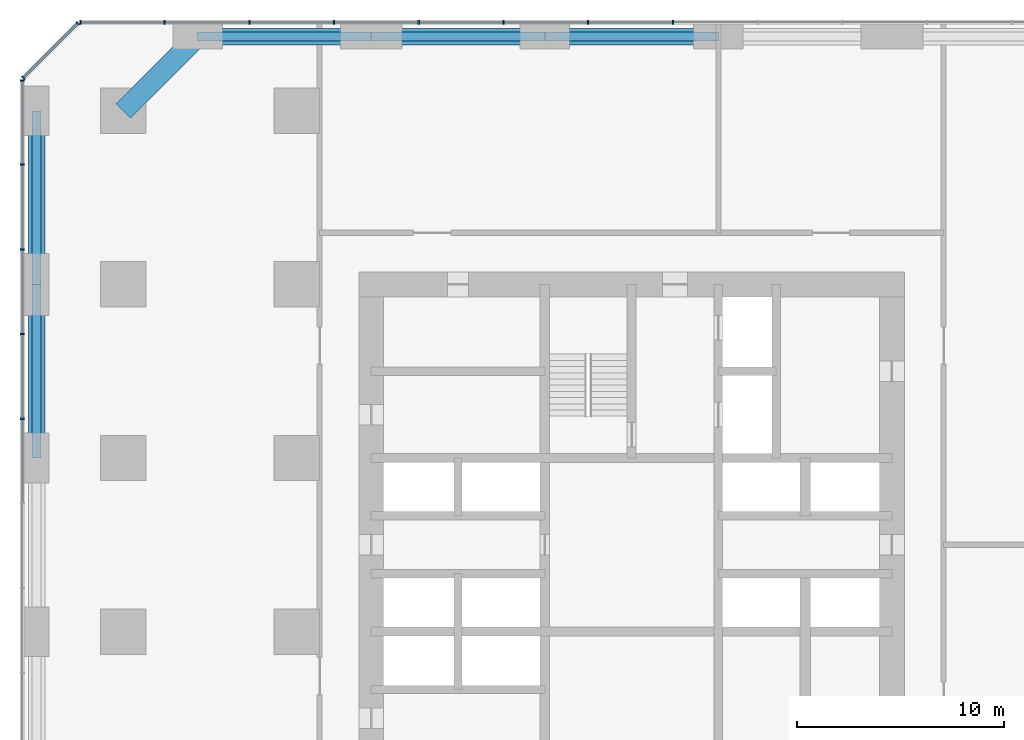
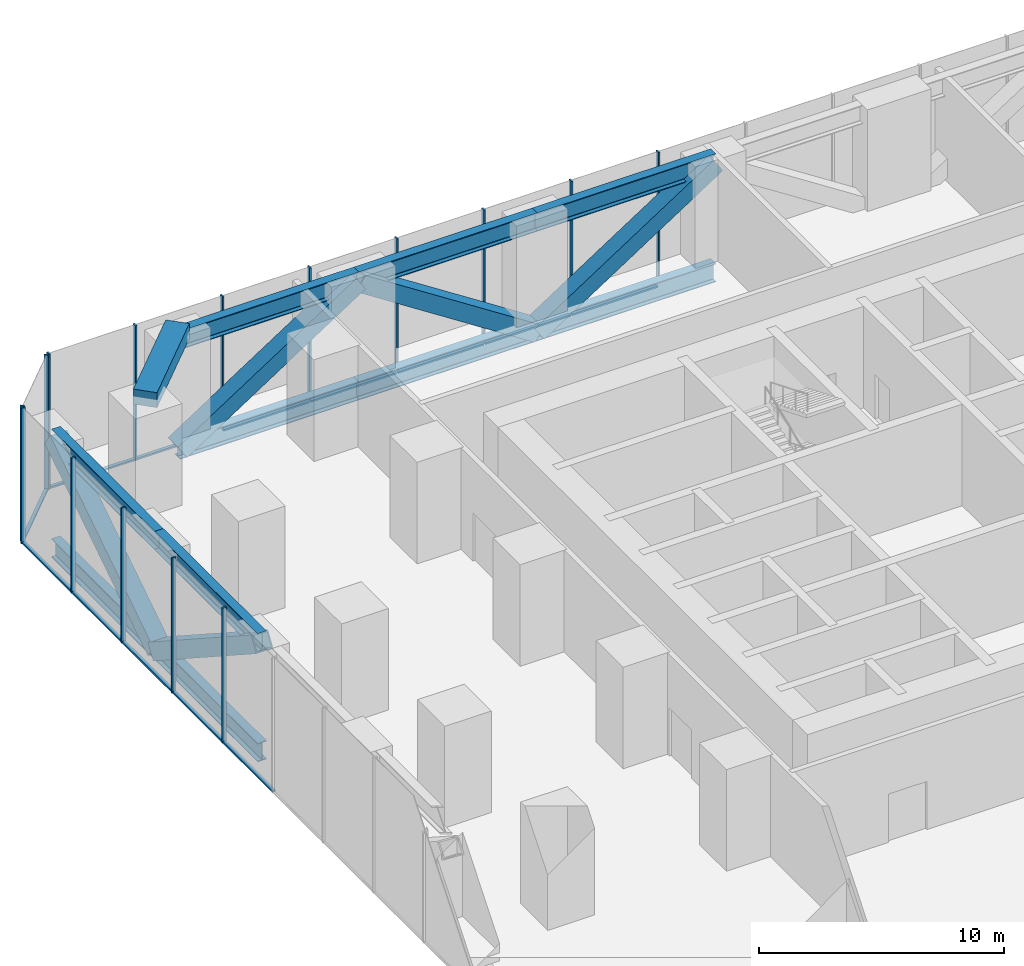
# One storey, part 5 of 10: 43 members, 1 beam, 3 elements without a shape of their own.
"""IFC4 building model written with IfcOpenShell, lengths in metres."""

from ifc_helpers import new_model, si_unit, direction, frame, origin, origin_2d, place, context, subcontext, project, spatial, rectangle, hollow_rectangle, i_section, extrude, material, material_profile, profile_set, type_object, element, aggregate, save


model = new_model("IFC4")

# Units and contexts
model_context = context("Model", 3, precision=1e-05, world=origin(), true_north=direction((0.0, 1.0)))
body_context = subcontext(model_context, "Body", "Model", "MODEL_VIEW")
ifc_project = project(units=[si_unit("LENGTHUNIT", "METRE"), si_unit("AREAUNIT", "SQUARE_METRE"), si_unit("VOLUMEUNIT", "CUBIC_METRE"), si_unit("PLANEANGLEUNIT", "RADIAN"), si_unit("MASSUNIT", "GRAM", prefix="KILO")], contexts=[model_context])

# Site, building, storey
site_placement = place(None, origin())
site = spatial("IfcSite", under=ifc_project, at=site_placement, CompositionType="ELEMENT")
building_placement = place(site_placement, origin())
building = spatial("IfcBuilding", under=site, at=building_placement, Name="Dunama Terrace Hotel", CompositionType="ELEMENT")
storey_placement = place(building_placement, frame((0.0, 0.0, 153.60009765625)))
storey = spatial("IfcBuildingStorey", under=building, at=storey_placement, Name="L39", CompositionType="ELEMENT", Elevation=153.60009765625)

# Members
ifc_material_1 = material(Name="Steel S355", Category="steel")
ifc_material_profile_1 = material_profile(ifc_material_1, hollow_rectangle(XDim=0.800048828125, YDim=0.800048828125, WallThickness=0.06005859375, at=origin_2d()), Name="BOX 800x800x60")
ifc_profile_set_1 = profile_set([ifc_material_profile_1], Name="Steel S355")
member_type_1 = type_object("IfcMemberType", Name="Brace BOX 800x800x60", PredefinedType="BRACE", material=ifc_profile_set_1)
for number, where, z_axis, x_axis, name in (
    (1, (0.60009765625, 42.0, -0.860595703125), (0.0, -0.83889900313, 0.544287114075), (1.0, 0.0, 0.0), "Belt truss diagonal L39"),
    (2, (0.60009765625, 42.0, -0.860595703125), (0.0, 0.83889900313, 0.544287114075), (-1.0, 0.0, 0.0), "Belt truss diagonal L39"),
):
    element("IfcMember", number, at=place(storey_placement, frame(where, z_axis=z_axis, x_axis=x_axis)), inside=storey, type_object=member_type_1, Name=name, PredefinedType="BRACE", context=body_context, shape_type="SweptSolid", body=[
        extrude(hollow_rectangle(XDim=0.800048828125, YDim=0.800048828125, WallThickness=0.06005859375, at=origin_2d()), origin(), (0.0, 0.0, 1.0), 10.012939453125),
    ])
member_1_placement = place(storey_placement, frame((8.39990234375, 54.0, -0.860595703125), z_axis=(0.838906226141, 0.0, 0.544275981229), x_axis=(0.0, 1.0, 0.0)))
element("IfcMember", 3, at=member_1_placement, inside=storey, type_object=member_type_1, Name="Belt truss diagonal L39", PredefinedType="BRACE", context=body_context, shape_type="SweptSolid", body=[
    extrude(hollow_rectangle(XDim=0.800048828125, YDim=0.800048828125, WallThickness=0.06005859375, at=origin_2d()), origin(), (0.0, 0.0, 1.0), 10.01318359375),
])
member_2_placement = place(storey_placement, frame((25.199951171875, 54.0, -0.860595703125), z_axis=(-0.83889900313, 0.0, 0.544287114075), x_axis=(0.0, -1.0, 0.0)))
element("IfcMember", 4, at=member_2_placement, inside=storey, type_object=member_type_1, Name="Belt truss diagonal L39", PredefinedType="BRACE", context=body_context, shape_type="SweptSolid", body=[
    extrude(hollow_rectangle(XDim=0.800048828125, YDim=0.800048828125, WallThickness=0.06005859375, at=origin_2d()), origin(), (0.0, 0.0, 1.0), 10.012939453125),
])
member_3_placement = place(storey_placement, frame((25.199951171875, 54.0, -0.860595703125), z_axis=(0.838906226141, 0.0, 0.544275981229), x_axis=(0.0, 1.0, 0.0)))
element("IfcMember", 5, at=member_3_placement, inside=storey, type_object=member_type_1, Name="Belt truss diagonal L39", PredefinedType="BRACE", context=body_context, shape_type="SweptSolid", body=[
    extrude(hollow_rectangle(XDim=0.800048828125, YDim=0.800048828125, WallThickness=0.06005859375, at=origin_2d()), origin(), (0.0, 0.0, 1.0), 10.01318359375),
])

# Curtain wall, members
ifc_material_2 = material(Name="Aluminium curtain wall system", Category="aluminium")
curtain_wall_type = type_object("IfcCurtainWallType", Name="Plant floor louvred glazing CW-G", PredefinedType="NOTDEFINED", material=ifc_material_2)
curtain_wall_1_placement = place(storey_placement, origin())
curtain_wall_1 = element("IfcCurtainWall", 6, at=curtain_wall_1_placement, inside=storey, type_object=curtain_wall_type, Name="Plant floor louvred glazing CW-G L39", PredefinedType="NOTDEFINED")
ifc_material_3 = material(Name="Aluminium mullion", Category="aluminium")
ifc_material_profile_2 = material_profile(ifc_material_3, rectangle(XDim=0.074951171875, YDim=0.199951171875, at=origin_2d()), Name="CWG MULLION 75X200")
ifc_profile_set_2 = profile_set([ifc_material_profile_2], Name="Aluminium mullion")
member_type_2 = type_object("IfcMemberType", Name="CWG mullion 75x200", PredefinedType="MULLION", material=ifc_profile_set_2)
member_4_placement = place(storey_placement, frame((31.39990234375, 54.699951171875, -1.321044921875), z_axis=(0.0, 0.0, 1.0), x_axis=(-1.0, 0.0, 0.0)))
member_4 = element("IfcMember", 7, at=member_4_placement, type_object=member_type_2, Name="CWG mullion", PredefinedType="MULLION", context=body_context, shape_type="SweptSolid", body=[
    extrude(rectangle(XDim=0.074951171875, YDim=0.199951171875, at=origin_2d()), origin(), (0.0, 0.0, 1.0), 6.720947265625),
])
member_5_placement = place(storey_placement, frame((27.300048828125, 54.699951171875, -1.321044921875), z_axis=(0.0, 0.0, 1.0), x_axis=(-1.0, 0.0, 0.0)))
member_5 = element("IfcMember", 8, at=member_5_placement, type_object=member_type_2, Name="CWG mullion", PredefinedType="MULLION", context=body_context, shape_type="SweptSolid", body=[
    extrude(rectangle(XDim=0.074951171875, YDim=0.199951171875, at=origin_2d()), origin(), (0.0, 0.0, 1.0), 6.720947265625),
])
member_6_placement = place(storey_placement, frame((23.199951171875, 54.699951171875, -1.321044921875), z_axis=(0.0, 0.0, 1.0), x_axis=(-1.0, 0.0, 0.0)))
member_6 = element("IfcMember", 9, at=member_6_placement, type_object=member_type_2, Name="CWG mullion", PredefinedType="MULLION", context=body_context, shape_type="SweptSolid", body=[
    extrude(rectangle(XDim=0.074951171875, YDim=0.199951171875, at=origin_2d()), origin(), (0.0, 0.0, 1.0), 6.720947265625),
])
member_7_placement = place(storey_placement, frame((19.10009765625, 54.699951171875, -1.321044921875), z_axis=(0.0, 0.0, 1.0), x_axis=(-1.0, 0.0, 0.0)))
member_7 = element("IfcMember", 10, at=member_7_placement, type_object=member_type_2, Name="CWG mullion", PredefinedType="MULLION", context=body_context, shape_type="SweptSolid", body=[
    extrude(rectangle(XDim=0.074951171875, YDim=0.199951171875, at=origin_2d()), origin(), (0.0, 0.0, 1.0), 6.720947265625),
])
member_8_placement = place(storey_placement, frame((15.0, 54.699951171875, -1.321044921875), z_axis=(0.0, 0.0, 1.0), x_axis=(-1.0, 0.0, 0.0)))
member_8 = element("IfcMember", 11, at=member_8_placement, type_object=member_type_2, Name="CWG mullion", PredefinedType="MULLION", context=body_context, shape_type="SweptSolid", body=[
    extrude(rectangle(XDim=0.074951171875, YDim=0.199951171875, at=origin_2d()), origin(), (0.0, 0.0, 1.0), 6.720947265625),
])
member_9_placement = place(storey_placement, frame((10.89990234375, 54.699951171875, -1.321044921875), z_axis=(0.0, 0.0, 1.0), x_axis=(-1.0, 0.0, 0.0)))
member_9 = element("IfcMember", 12, at=member_9_placement, type_object=member_type_2, Name="CWG mullion", PredefinedType="MULLION", context=body_context, shape_type="SweptSolid", body=[
    extrude(rectangle(XDim=0.074951171875, YDim=0.199951171875, at=origin_2d()), origin(), (0.0, 0.0, 1.0), 6.720947265625),
])
member_10_placement = place(storey_placement, frame((6.800048828125, 54.699951171875, -1.321044921875), z_axis=(0.0, 0.0, 1.0), x_axis=(-1.0, 0.0, 0.0)))
member_10 = element("IfcMember", 13, at=member_10_placement, type_object=member_type_2, Name="CWG mullion", PredefinedType="MULLION", context=body_context, shape_type="SweptSolid", body=[
    extrude(rectangle(XDim=0.074951171875, YDim=0.199951171875, at=origin_2d()), origin(), (0.0, 0.0, 1.0), 6.720947265625),
])
member_11_placement = place(storey_placement, frame((2.738037109375, 54.699951171875, -1.321044921875), z_axis=(0.0, 0.0, 1.0), x_axis=(-1.0, 0.0, 0.0)))
member_11 = element("IfcMember", 14, at=member_11_placement, type_object=member_type_2, Name="CWG mullion", PredefinedType="MULLION", context=body_context, shape_type="SweptSolid", body=[
    extrude(rectangle(XDim=0.074951171875, YDim=0.199951171875, at=origin_2d()), origin(), (0.0, 0.0, 1.0), 6.720947265625),
])

curtain_wall_2_placement = place(storey_placement, origin())
curtain_wall_2 = element("IfcCurtainWall", 15, at=curtain_wall_2_placement, inside=storey, type_object=curtain_wall_type, Name="Plant floor louvred glazing CW-G L39", PredefinedType="NOTDEFINED")
member_12_placement = place(storey_placement, frame((2.60302734375, 54.64404296875, -1.321044921875), z_axis=(0.0, 0.0, 1.0), x_axis=(-0.707106781187, -0.707106781187, 0.0)))
member_12 = element("IfcMember", 16, at=member_12_placement, type_object=member_type_2, Name="CWG mullion", PredefinedType="MULLION", context=body_context, shape_type="SweptSolid", body=[
    extrude(rectangle(XDim=0.074951171875, YDim=0.199951171875, at=origin_2d()), origin(), (0.0, 0.0, 1.0), 6.720947265625),
])
member_13_placement = place(storey_placement, frame((-0.0439453125, 51.9970703125, -1.321044921875), z_axis=(0.0, 0.0, 1.0), x_axis=(-0.707106781187, -0.707106781187, 0.0)))
member_13 = element("IfcMember", 17, at=member_13_placement, type_object=member_type_2, Name="CWG mullion", PredefinedType="MULLION", context=body_context, shape_type="SweptSolid", body=[
    extrude(rectangle(XDim=0.074951171875, YDim=0.199951171875, at=origin_2d()), origin(), (0.0, 0.0, 1.0), 6.720947265625),
])

curtain_wall_3_placement = place(storey_placement, origin())
curtain_wall_3 = element("IfcCurtainWall", 18, at=curtain_wall_3_placement, inside=storey, type_object=curtain_wall_type, Name="Plant floor louvred glazing CW-G L39", PredefinedType="NOTDEFINED")
member_14_placement = place(storey_placement, frame((-0.10009765625, 51.862060546875, -1.321044921875), z_axis=(0.0, 0.0, 1.0), x_axis=(0.0, -1.0, 0.0)))
member_14 = element("IfcMember", 19, at=member_14_placement, type_object=member_type_2, Name="CWG mullion", PredefinedType="MULLION", context=body_context, shape_type="SweptSolid", body=[
    extrude(rectangle(XDim=0.074951171875, YDim=0.199951171875, at=origin_2d()), origin(), (0.0, 0.0, 1.0), 6.720947265625),
])
member_15_placement = place(storey_placement, frame((-0.10009765625, 47.800048828125, -1.321044921875), z_axis=(0.0, 0.0, 1.0), x_axis=(0.0, -1.0, 0.0)))
member_15 = element("IfcMember", 20, at=member_15_placement, type_object=member_type_2, Name="CWG mullion", PredefinedType="MULLION", context=body_context, shape_type="SweptSolid", body=[
    extrude(rectangle(XDim=0.074951171875, YDim=0.199951171875, at=origin_2d()), origin(), (0.0, 0.0, 1.0), 6.720947265625),
])
member_16_placement = place(storey_placement, frame((-0.10009765625, 43.699951171875, -1.321044921875), z_axis=(0.0, 0.0, 1.0), x_axis=(0.0, -1.0, 0.0)))
member_16 = element("IfcMember", 21, at=member_16_placement, type_object=member_type_2, Name="CWG mullion", PredefinedType="MULLION", context=body_context, shape_type="SweptSolid", body=[
    extrude(rectangle(XDim=0.074951171875, YDim=0.199951171875, at=origin_2d()), origin(), (0.0, 0.0, 1.0), 6.720947265625),
])
member_17_placement = place(storey_placement, frame((-0.10009765625, 39.60009765625, -1.321044921875), z_axis=(0.0, 0.0, 1.0), x_axis=(0.0, -1.0, 0.0)))
member_17 = element("IfcMember", 22, at=member_17_placement, type_object=member_type_2, Name="CWG mullion", PredefinedType="MULLION", context=body_context, shape_type="SweptSolid", body=[
    extrude(rectangle(XDim=0.074951171875, YDim=0.199951171875, at=origin_2d()), origin(), (0.0, 0.0, 1.0), 6.720947265625),
])
member_18_placement = place(storey_placement, frame((-0.10009765625, 35.5, -1.321044921875), z_axis=(0.0, 0.0, 1.0), x_axis=(0.0, -1.0, 0.0)))
member_18 = element("IfcMember", 23, at=member_18_placement, type_object=member_type_2, Name="CWG mullion", PredefinedType="MULLION", context=body_context, shape_type="SweptSolid", body=[
    extrude(rectangle(XDim=0.074951171875, YDim=0.199951171875, at=origin_2d()), origin(), (0.0, 0.0, 1.0), 6.720947265625),
])

# Member
ifc_material_4 = material(Name="Aluminium transom", Category="aluminium")
ifc_material_profile_3 = material_profile(ifc_material_4, rectangle(XDim=0.159912109375, YDim=0.0849609375, at=origin_2d()), Name="CWG TRANSOM 160X85")
ifc_profile_set_3 = profile_set([ifc_material_profile_3], Name="Aluminium transom")
member_type_3 = type_object("IfcMemberType", Name="CWG transom 160x85", PredefinedType="USERDEFINED", material=ifc_profile_set_3)
member_19_placement = place(storey_placement, frame((31.362060546875, 54.699951171875, -1.278564453125), z_axis=(-1.0, 0.0, 0.0), x_axis=(0.0, -1.0, 0.0)))
member_19 = element("IfcMember", 24, at=member_19_placement, type_object=member_type_3, Name="CWG transom", ObjectType="TRANSOM", PredefinedType="USERDEFINED", context=body_context, shape_type="SweptSolid", body=[
    extrude(rectangle(XDim=0.159912109375, YDim=0.0849609375, at=origin_2d()), origin(), (0.0, 0.0, 1.0), 4.024169921875),
])

member_20_placement = place(storey_placement, frame((27.261962890625, 54.699951171875, -1.278564453125), z_axis=(-1.0, 0.0, 0.0), x_axis=(0.0, -1.0, 0.0)))
member_20 = element("IfcMember", 25, at=member_20_placement, type_object=member_type_3, Name="CWG transom", ObjectType="TRANSOM", PredefinedType="USERDEFINED", context=body_context, shape_type="SweptSolid", body=[
    extrude(rectangle(XDim=0.159912109375, YDim=0.0849609375, at=origin_2d()), origin(), (0.0, 0.0, 1.0), 4.02392578125),
])

member_21_placement = place(storey_placement, frame((23.1630859375, 54.699951171875, -1.278564453125), z_axis=(-1.0, 0.0, 0.0), x_axis=(0.0, -1.0, 0.0)))
member_21 = element("IfcMember", 26, at=member_21_placement, type_object=member_type_3, Name="CWG transom", ObjectType="TRANSOM", PredefinedType="USERDEFINED", context=body_context, shape_type="SweptSolid", body=[
    extrude(rectangle(XDim=0.159912109375, YDim=0.0849609375, at=origin_2d()), origin(), (0.0, 0.0, 1.0), 4.025146484375),
])

member_22_placement = place(storey_placement, frame((19.06201171875, 54.699951171875, -1.278564453125), z_axis=(-1.0, 0.0, 0.0), x_axis=(0.0, -1.0, 0.0)))
member_22 = element("IfcMember", 27, at=member_22_placement, type_object=member_type_3, Name="CWG transom", ObjectType="TRANSOM", PredefinedType="USERDEFINED", context=body_context, shape_type="SweptSolid", body=[
    extrude(rectangle(XDim=0.159912109375, YDim=0.0849609375, at=origin_2d()), origin(), (0.0, 0.0, 1.0), 4.02392578125),
])

member_23_placement = place(storey_placement, frame((14.9619140625, 54.699951171875, -1.278564453125), z_axis=(-1.0, 0.0, 0.0), x_axis=(0.0, -1.0, 0.0)))
member_23 = element("IfcMember", 28, at=member_23_placement, type_object=member_type_3, Name="CWG transom", ObjectType="TRANSOM", PredefinedType="USERDEFINED", context=body_context, shape_type="SweptSolid", body=[
    extrude(rectangle(XDim=0.159912109375, YDim=0.0849609375, at=origin_2d()), origin(), (0.0, 0.0, 1.0), 4.02392578125),
])

member_24_placement = place(storey_placement, frame((10.862060546875, 54.699951171875, -1.278564453125), z_axis=(-1.0, 0.0, 0.0), x_axis=(0.0, -1.0, 0.0)))
member_24 = element("IfcMember", 29, at=member_24_placement, type_object=member_type_3, Name="CWG transom", ObjectType="TRANSOM", PredefinedType="USERDEFINED", context=body_context, shape_type="SweptSolid", body=[
    extrude(rectangle(XDim=0.159912109375, YDim=0.0849609375, at=origin_2d()), origin(), (0.0, 0.0, 1.0), 4.024169921875),
])

member_25_placement = place(storey_placement, frame((6.762939453125, 54.699951171875, -1.278564453125), z_axis=(-1.0, 0.0, 0.0), x_axis=(0.0, -1.0, 0.0)))
member_25 = element("IfcMember", 30, at=member_25_placement, type_object=member_type_3, Name="CWG transom", ObjectType="TRANSOM", PredefinedType="USERDEFINED", context=body_context, shape_type="SweptSolid", body=[
    extrude(rectangle(XDim=0.159912109375, YDim=0.0849609375, at=origin_2d()), origin(), (0.0, 0.0, 1.0), 3.988037109375),
])

aggregate(curtain_wall_1, [member_4, member_5, member_6, member_7, member_8, member_9, member_10, member_11, member_19, member_20, member_21, member_22, member_23, member_24, member_25])

member_26_placement = place(storey_placement, frame((2.575927734375, 54.617919921875, -1.278564453125), z_axis=(-0.707106781187, -0.707106781187, 0.0), x_axis=(0.707106781187, -0.707106781187, 0.0)))
member_26 = element("IfcMember", 31, at=member_26_placement, type_object=member_type_3, Name="CWG transom", ObjectType="TRANSOM", PredefinedType="USERDEFINED", context=body_context, shape_type="SweptSolid", body=[
    extrude(rectangle(XDim=0.159912109375, YDim=0.0849609375, at=origin_2d()), origin(), (0.0, 0.0, 1.0), 3.66845703125),
])

aggregate(curtain_wall_2, [member_12, member_13, member_26])

member_27_placement = place(storey_placement, frame((-0.10009765625, 51.824951171875, -1.278564453125), z_axis=(0.0, -1.0, 0.0), x_axis=(1.0, 0.0, 0.0)))
member_27 = element("IfcMember", 32, at=member_27_placement, type_object=member_type_3, Name="CWG transom", ObjectType="TRANSOM", PredefinedType="USERDEFINED", context=body_context, shape_type="SweptSolid", body=[
    extrude(rectangle(XDim=0.159912109375, YDim=0.0849609375, at=origin_2d()), origin(), (0.0, 0.0, 1.0), 3.988037109375),
])

member_28_placement = place(storey_placement, frame((-0.10009765625, 47.762939453125, -1.278564453125), z_axis=(0.0, -1.0, 0.0), x_axis=(1.0, 0.0, 0.0)))
member_28 = element("IfcMember", 33, at=member_28_placement, type_object=member_type_3, Name="CWG transom", ObjectType="TRANSOM", PredefinedType="USERDEFINED", context=body_context, shape_type="SweptSolid", body=[
    extrude(rectangle(XDim=0.159912109375, YDim=0.0849609375, at=origin_2d()), origin(), (0.0, 0.0, 1.0), 4.02587890625),
])

member_29_placement = place(storey_placement, frame((-0.10009765625, 43.6630859375, -1.278564453125), z_axis=(0.0, -1.0, 0.0), x_axis=(1.0, 0.0, 0.0)))
member_29 = element("IfcMember", 34, at=member_29_placement, type_object=member_type_3, Name="CWG transom", ObjectType="TRANSOM", PredefinedType="USERDEFINED", context=body_context, shape_type="SweptSolid", body=[
    extrude(rectangle(XDim=0.159912109375, YDim=0.0849609375, at=origin_2d()), origin(), (0.0, 0.0, 1.0), 4.025146484375),
])

member_30_placement = place(storey_placement, frame((-0.10009765625, 39.56201171875, -1.278564453125), z_axis=(0.0, -1.0, 0.0), x_axis=(1.0, 0.0, 0.0)))
member_30 = element("IfcMember", 35, at=member_30_placement, type_object=member_type_3, Name="CWG transom", ObjectType="TRANSOM", PredefinedType="USERDEFINED", context=body_context, shape_type="SweptSolid", body=[
    extrude(rectangle(XDim=0.159912109375, YDim=0.0849609375, at=origin_2d()), origin(), (0.0, 0.0, 1.0), 4.02392578125),
])

member_31_placement = place(storey_placement, frame((-0.10009765625, 35.4619140625, -1.278564453125), z_axis=(0.0, -1.0, 0.0), x_axis=(1.0, 0.0, 0.0)))
member_31 = element("IfcMember", 36, at=member_31_placement, type_object=member_type_3, Name="CWG transom", ObjectType="TRANSOM", PredefinedType="USERDEFINED", context=body_context, shape_type="SweptSolid", body=[
    extrude(rectangle(XDim=0.159912109375, YDim=0.0849609375, at=origin_2d()), origin(), (0.0, 0.0, 1.0), 4.02392578125),
])

aggregate(curtain_wall_3, [member_14, member_15, member_16, member_17, member_18, member_27, member_28, member_29, member_30, member_31])

# Beam
ifc_material_5 = material(Name="Concrete C50/60", Category="concrete")
ifc_material_profile_4 = material_profile(ifc_material_5, rectangle(XDim=1.0, YDim=0.75, at=origin_2d()), Name="RC 1000x750")
ifc_profile_set_4 = profile_set([ifc_material_profile_4], Name="Concrete C50/60")
beam_type = type_object("IfcBeamType", Name="Edge beam RC 1000x750", PredefinedType="SPANDREL", material=ifc_profile_set_4)
beam_placement = place(storey_placement, frame((8.39990234375, 54.0, 5.02490234375), z_axis=(-0.707082803744, -0.707130757816, 0.0), x_axis=(0.707130757816, -0.707082803744, 0.0)))
element("IfcBeam", 37, at=beam_placement, inside=storey, type_object=beam_type, Name="Corner edge beam under L40", PredefinedType="SPANDREL", context=body_context, shape_type="SweptSolid", body=[
    extrude(rectangle(XDim=1.0, YDim=0.75, at=origin_2d()), origin(), (0.0, 0.0, 1.0), 5.091064453125),
])

# Members
ifc_material_6 = material(Name="Steel S355", Category="steel")
ifc_material_profile_5 = material_profile(ifc_material_6, i_section(OverallWidth=0.42041015625, OverallDepth=0.9208984375, WebThickness=0.021484375, FlangeThickness=0.03662109375, FilletRadius=0.024169921875, at=origin_2d()), Name="UB 914x419x388")
ifc_profile_set_5 = profile_set([ifc_material_profile_5], Name="Steel S355")
member_type_4 = type_object("IfcMemberType", Name="Truss member UB 914x419x388", PredefinedType="CHORD", material=ifc_profile_set_5)
for number, where, z_axis, x_axis, name in (
    (38, (0.60009765625, 33.60009765625, 4.58935546875), (0.0, 1.0, 0.0), (-1.0, 0.0, 0.0), "Belt truss top chord L39"),
    (39, (0.60009765625, 33.60009765625, -0.860595703125), (0.0, 1.0, 0.0), (-1.0, 0.0, 0.0), "Belt truss bottom chord L39"),
    (40, (0.60009765625, 42.0, 4.58935546875), (0.0, 1.0, 0.0), (-1.0, 0.0, 0.0), "Belt truss top chord L39"),
    (41, (0.60009765625, 42.0, -0.860595703125), (0.0, 1.0, 0.0), (-1.0, 0.0, 0.0), "Belt truss bottom chord L39"),
):
    element("IfcMember", number, at=place(storey_placement, frame(where, z_axis=z_axis, x_axis=x_axis)), inside=storey, type_object=member_type_4, Name=name, PredefinedType="CHORD", context=body_context, shape_type="SweptSolid", body=[
        extrude(i_section(OverallWidth=0.42041015625, OverallDepth=0.9208984375, WebThickness=0.021484375, FlangeThickness=0.03662109375, FilletRadius=0.024169921875, at=origin_2d()), origin(), (0.0, 0.0, 1.0), 8.39990234375),
    ])
for number, where, z_axis, x_axis, name in (
    (42, (8.39990234375, 54.0, 4.58935546875), (1.0, 0.0, 0.0), (0.0, 1.0, 0.0), "Belt truss top chord L39"),
    (43, (8.39990234375, 54.0, -0.860595703125), (1.0, 0.0, 0.0), (0.0, 1.0, 0.0), "Belt truss bottom chord L39"),
):
    element("IfcMember", number, at=place(storey_placement, frame(where, z_axis=z_axis, x_axis=x_axis)), inside=storey, type_object=member_type_4, Name=name, PredefinedType="CHORD", context=body_context, shape_type="SweptSolid", body=[
        extrude(i_section(OverallWidth=0.42041015625, OverallDepth=0.9208984375, WebThickness=0.021484375, FlangeThickness=0.03662109375, FilletRadius=0.024169921875, at=origin_2d()), origin(), (0.0, 0.0, 1.0), 8.400146484375),
    ])
for number, where, z_axis, x_axis, name in (
    (44, (16.800048828125, 54.0, 4.58935546875), (1.0, 0.0, 0.0), (0.0, 1.0, 0.0), "Belt truss top chord L39"),
    (45, (16.800048828125, 54.0, -0.860595703125), (1.0, 0.0, 0.0), (0.0, 1.0, 0.0), "Belt truss bottom chord L39"),
):
    element("IfcMember", number, at=place(storey_placement, frame(where, z_axis=z_axis, x_axis=x_axis)), inside=storey, type_object=member_type_4, Name=name, PredefinedType="CHORD", context=body_context, shape_type="SweptSolid", body=[
        extrude(i_section(OverallWidth=0.42041015625, OverallDepth=0.9208984375, WebThickness=0.021484375, FlangeThickness=0.03662109375, FilletRadius=0.024169921875, at=origin_2d()), origin(), (0.0, 0.0, 1.0), 8.39990234375),
    ])
for number, where, z_axis, x_axis, name in (
    (46, (25.199951171875, 54.0, 4.58935546875), (1.0, 0.0, 0.0), (0.0, 1.0, 0.0), "Belt truss top chord L39"),
    (47, (25.199951171875, 54.0, -0.860595703125), (1.0, 0.0, 0.0), (0.0, 1.0, 0.0), "Belt truss bottom chord L39"),
):
    element("IfcMember", number, at=place(storey_placement, frame(where, z_axis=z_axis, x_axis=x_axis)), inside=storey, type_object=member_type_4, Name=name, PredefinedType="CHORD", context=body_context, shape_type="SweptSolid", body=[
        extrude(i_section(OverallWidth=0.42041015625, OverallDepth=0.9208984375, WebThickness=0.021484375, FlangeThickness=0.03662109375, FilletRadius=0.024169921875, at=origin_2d()), origin(), (0.0, 0.0, 1.0), 8.400146484375),
    ])

save(model, "model.ifc")
